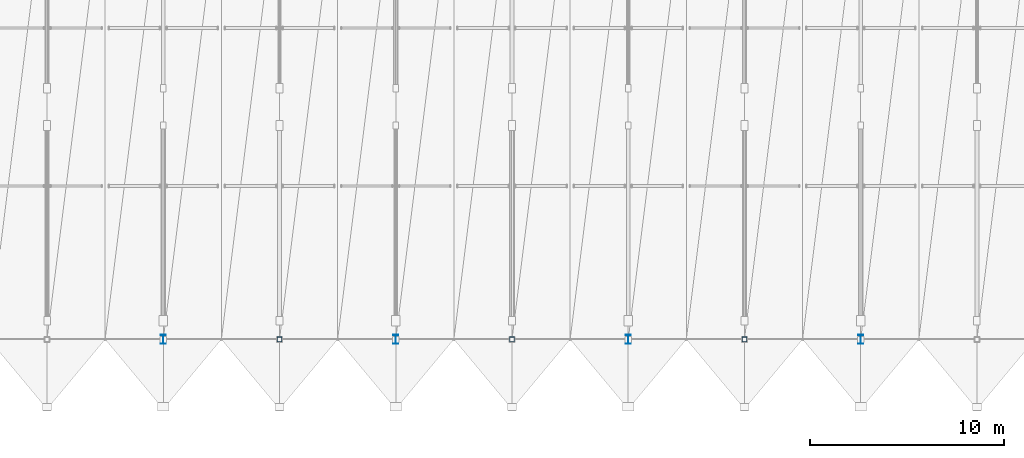
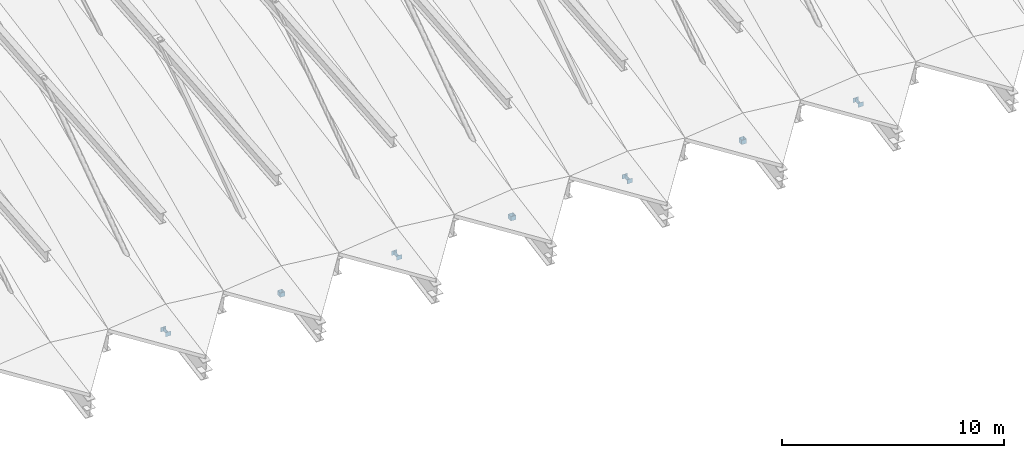
# One storey, part 11 of 52: 7 members.
"""IFC4 building model written with IfcOpenShell, lengths in metres."""

from ifc_helpers import new_model, si_unit, direction, frame, origin, origin_2d, place, context, subcontext, project, spatial, hollow_rectangle, i_section, extrude, material, material_profile, profile_set, type_object, element, save


model = new_model("IFC4")

# Units and contexts
model_context = context("Model", 3, precision=1e-05, world=origin(), true_north=direction((0.0, 1.0)))
body_context = subcontext(model_context, "Body", "Model", "MODEL_VIEW")
ifc_project = project(units=[si_unit("LENGTHUNIT", "METRE"), si_unit("AREAUNIT", "SQUARE_METRE"), si_unit("VOLUMEUNIT", "CUBIC_METRE"), si_unit("PLANEANGLEUNIT", "RADIAN"), si_unit("MASSUNIT", "GRAM", prefix="KILO")], contexts=[model_context])

# Site, building, storey
site_placement = place(None, origin())
site = spatial("IfcSite", under=ifc_project, at=site_placement, CompositionType="ELEMENT")
building_placement = place(site_placement, origin())
building = spatial("IfcBuilding", under=site, at=building_placement, Name="Vaelkrest Opera House", CompositionType="ELEMENT")
storey_placement = place(building_placement, frame((0.0, 0.0, 41.39990234375)))
storey = spatial("IfcBuildingStorey", under=building, at=storey_placement, Name="ROOF", CompositionType="ELEMENT", Elevation=41.39990234375)

# Members
ifc_material_1 = material(Name="Steel A992 Gr50", Category="steel")
ifc_material_profile_1 = material_profile(ifc_material_1, i_section(OverallWidth=0.280029296875, OverallDepth=0.462890625, WebThickness=0.0107421875, FlangeThickness=0.017333984375, at=origin_2d()), Name="W18X76")
ifc_profile_set_1 = profile_set([ifc_material_profile_1], Name="Steel A992 Gr50")
member_type_1 = type_object("IfcMemberType", Name="TC01", PredefinedType="CHORD", material=ifc_profile_set_1)
for number, where, z_axis, x_axis, name in (
    (1, (-21.0, -55.800048828125, -17.501953125), (0.0, 0.0, 1.0), (1.0, 0.0, 0.0), "Ridge saddle post V1-S-03"),
    (2, (-9.0, -55.800048828125, -17.501953125), (0.0, 0.0, 1.0), (1.0, 0.0, 0.0), "Ridge saddle post V1-S-07"),
    (3, (3.0, -55.800048828125, -17.501953125), (0.0, 0.0, 1.0), (1.0, 0.0, 0.0), "Ridge saddle post V1-S-11"),
    (4, (15.0, -55.800048828125, -17.501953125), (0.0, 0.0, 1.0), (1.0, 0.0, 0.0), "Ridge saddle post V1-S-15"),
):
    element("IfcMember", number, at=place(storey_placement, frame(where, z_axis=z_axis, x_axis=x_axis)), inside=storey, type_object=member_type_1, Name=name, PredefinedType="CHORD", context=body_context, shape_type="SweptSolid", body=[
        extrude(i_section(OverallWidth=0.280029296875, OverallDepth=0.462890625, WebThickness=0.0107421875, FlangeThickness=0.017333984375, at=origin_2d()), origin(), (0.0, 0.0, 1.0), 0.238037109375),
    ])
ifc_material_2 = material(Name="Steel A500 GrC", Category="steel")
ifc_material_profile_2 = material_profile(ifc_material_2, hollow_rectangle(XDim=0.25390625, YDim=0.25390625, WallThickness=0.0126953125, at=origin_2d()), Name="HSS254X254X12.7")
ifc_profile_set_2 = profile_set([ifc_material_profile_2], Name="Steel A500 GrC")
member_type_2 = type_object("IfcMemberType", Name="TC04", PredefinedType="CHORD", material=ifc_profile_set_2)
for number, where, z_axis, x_axis, name in (
    (5, (-15.0, -55.800048828125, -17.501953125), (0.0, 0.0, 1.0), (1.0, 0.0, 0.0), "Ridge saddle post V1-S-05"),
    (6, (-3.0, -55.800048828125, -17.501953125), (0.0, 0.0, 1.0), (1.0, 0.0, 0.0), "Ridge saddle post V1-S-09"),
    (7, (9.0, -55.800048828125, -17.501953125), (0.0, 0.0, 1.0), (1.0, 0.0, 0.0), "Ridge saddle post V1-S-13"),
):
    element("IfcMember", number, at=place(storey_placement, frame(where, z_axis=z_axis, x_axis=x_axis)), inside=storey, type_object=member_type_2, Name=name, PredefinedType="CHORD", context=body_context, shape_type="SweptSolid", body=[
        extrude(hollow_rectangle(XDim=0.25390625, YDim=0.25390625, WallThickness=0.0126953125, at=origin_2d()), origin(), (0.0, 0.0, 1.0), 0.238037109375),
    ])

save(model, "model.ifc")
